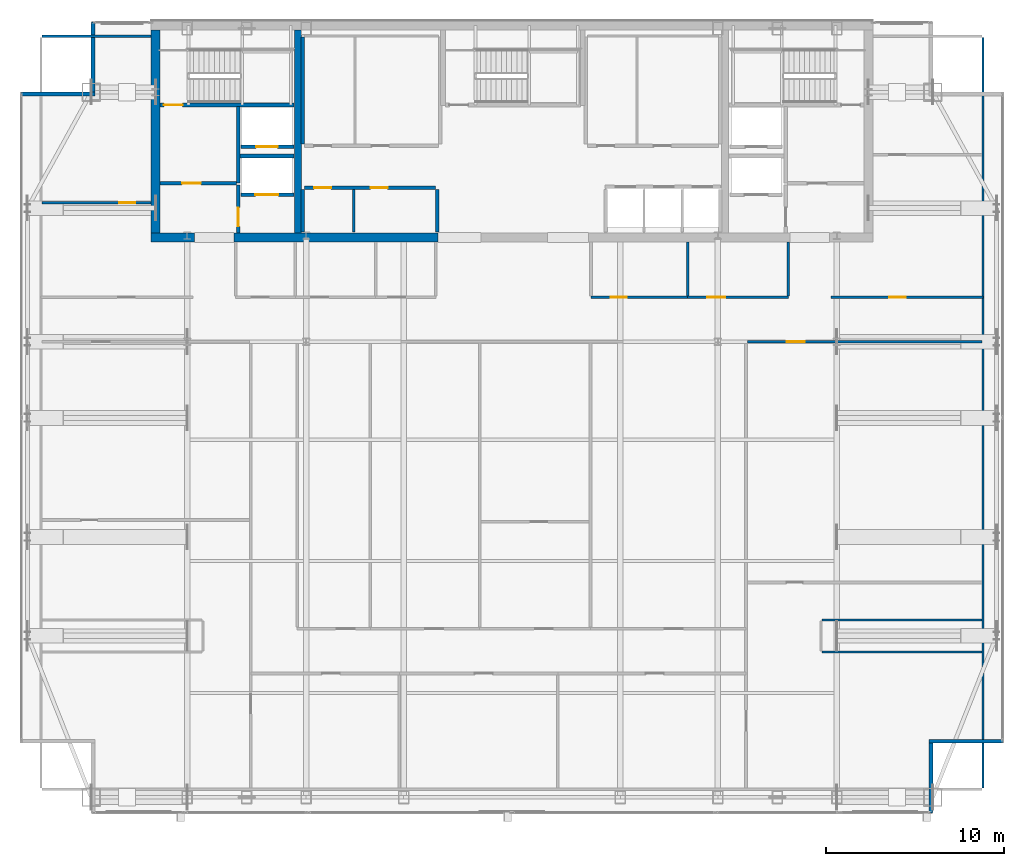
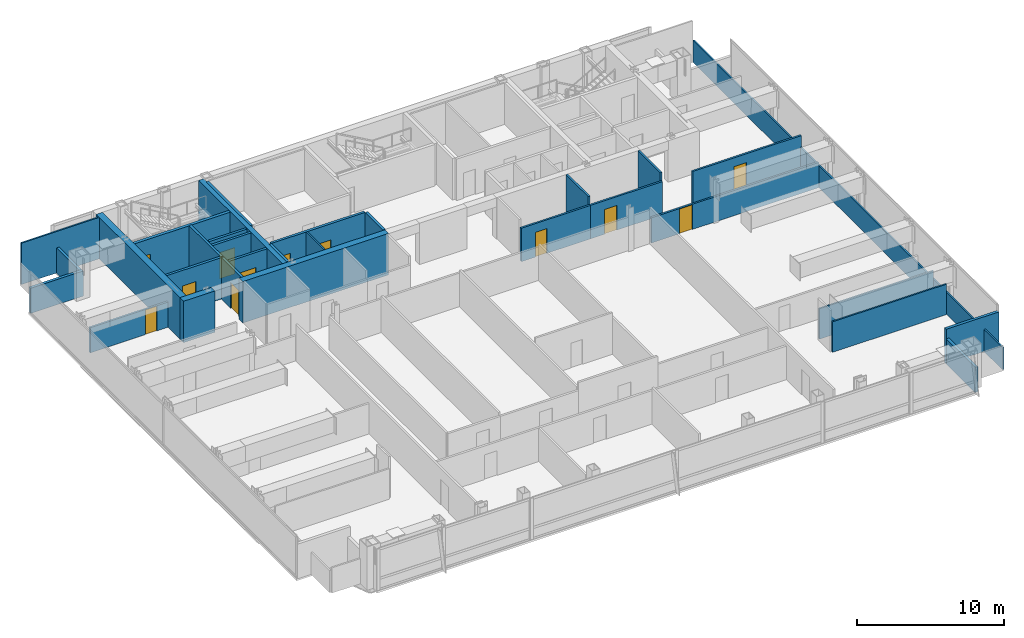
# One storey, part 22 of 26: 31 walls, 12 doors, 12 openings.
"""IFC4 building model written with IfcOpenShell, lengths in metres."""

from ifc_helpers import new_model, si_unit, direction, frame, frame_2d, origin, place, context, subcontext, project, spatial, rectangle, extrude, material, layer, layer_set, type_object, element, fill, save


model = new_model("IFC4")

# Units and contexts
model_context = context("Model", 3, precision=1e-05, world=origin(), true_north=direction((0.0, 1.0)))
body_context = subcontext(model_context, "Body", "Model", "MODEL_VIEW")
ifc_project = project(units=[si_unit("LENGTHUNIT", "METRE"), si_unit("AREAUNIT", "SQUARE_METRE"), si_unit("VOLUMEUNIT", "CUBIC_METRE"), si_unit("PLANEANGLEUNIT", "RADIAN"), si_unit("MASSUNIT", "GRAM", prefix="KILO")], contexts=[model_context])

# Site, building, storey
site_placement = place(None, origin())
site = spatial("IfcSite", under=ifc_project, at=site_placement, CompositionType="ELEMENT")
building_placement = place(site_placement, origin())
building = spatial("IfcBuilding", under=site, at=building_placement, Name="Khoronbel Lancet Exchange", CompositionType="ELEMENT")
storey_placement = place(building_placement, frame((0.0, 0.0, 287.800048828125)))
storey = spatial("IfcBuildingStorey", under=building, at=storey_placement, Name="L74", CompositionType="ELEMENT", Elevation=287.800048828125)

# Walls
ifc_material_1 = material(Name="Concrete C60/75", Category="concrete")
ifc_layer_1 = layer(ifc_material_1, 0.5, Name="Concrete C60/75")
ifc_layer_set_1 = layer_set([ifc_layer_1], Name="Concrete C60/75")
wall_type_1 = type_object("IfcWallType", Name="WL-CW4", PredefinedType="SHEAR", material=ifc_layer_set_1)
wall_1_placement = place(storey_placement, frame((16.449951171875, 41.800048828125, 0.0), z_axis=(0.0, 0.0, 1.0), x_axis=(0.0, 1.0, 0.0)))
element("IfcWall", 1, at=wall_1_placement, inside=storey, type_object=wall_type_1, Name="Level L74 rear core west shear wall", PredefinedType="SHEAR", context=body_context, shape_type="SweptSolid", body=[
    extrude(rectangle(XDim=11.39990234375, YDim=0.5, at=frame_2d((5.699951171875, 0.0))), origin(), (0.0, 0.0, 1.0), 3.43994140625),
])
wall_2_placement = place(storey_placement, frame((18.64990234375, 41.550048828125, 0.0), z_axis=(0.0, 0.0, 1.0), x_axis=(-1.0, 0.0, 0.0)))
element("IfcWall", 2, at=wall_2_placement, inside=storey, type_object=wall_type_1, Name="Level L74 rear core south shear wall pier P1", PredefinedType="SHEAR", context=body_context, shape_type="SweptSolid", body=[
    extrude(rectangle(XDim=2.449951171875, YDim=0.5, at=frame_2d((1.22509765625, 0.0))), origin(), (0.0, 0.0, 1.0), 3.43994140625),
])
wall_3_placement = place(storey_placement, frame((32.300048828125, 41.550048828125, 0.0), z_axis=(0.0, 0.0, 1.0), x_axis=(-1.0, 0.0, 0.0)))
element("IfcWall", 3, at=wall_3_placement, inside=storey, type_object=wall_type_1, Name="Level L74 rear core south shear wall pier P2", PredefinedType="SHEAR", context=body_context, shape_type="SweptSolid", body=[
    extrude(rectangle(XDim=11.449951171875, YDim=0.5, at=frame_2d((5.72509765625, 0.0))), origin(), (0.0, 0.0, 1.0), 3.43994140625),
])
ifc_material_2 = material(Name="Precast concrete C40/50", Category="concrete")
ifc_layer_2 = layer(ifc_material_2, 0.25, Name="Precast concrete C40/50")
ifc_layer_set_2 = layer_set([ifc_layer_2], Name="Precast concrete C40/50")
wall_type_2 = type_object("IfcWallType", Name="WL-EXT250", PredefinedType="SOLIDWALL", material=ifc_layer_set_2)
wall_4_placement = place(storey_placement, frame((8.919921875, 49.610107421875, 0.0), z_axis=(0.0, 0.0, 1.0), x_axis=(1.0, 0.0, 0.0)))
element("IfcWall", 4, at=wall_4_placement, inside=storey, type_object=wall_type_2, Name="Level L74 notched-corner limestone pier 04", PredefinedType="SOLIDWALL", context=body_context, shape_type="SweptSolid", body=[
    extrude(rectangle(XDim=4.130126953125, YDim=0.219970703125, at=frame_2d((2.06494140625, 0.0))), origin(), (0.0, 0.0, 1.0), 2.08984375),
])
wall_5_placement = place(storey_placement, frame((12.93994140625, 49.719970703125, 0.0), z_axis=(0.0, 0.0, 1.0), x_axis=(0.0, 1.0, 0.0)))
element("IfcWall", 5, at=wall_5_placement, inside=storey, type_object=wall_type_2, Name="Level L74 notched-corner limestone pier 05", PredefinedType="SOLIDWALL", context=body_context, shape_type="SweptSolid", body=[
    extrude(rectangle(XDim=3.909912109375, YDim=0.219970703125, at=frame_2d((1.955078125, 0.0))), origin(), (0.0, 0.0, 1.0), 2.08984375),
])
wall_6_placement = place(storey_placement, frame((63.97998046875, 13.2900390625, 0.0), z_axis=(0.0, 0.0, 1.0), x_axis=(-1.0, 0.0, 0.0)))
element("IfcWall", 6, at=wall_6_placement, inside=storey, type_object=wall_type_2, Name="Level L74 notched-corner limestone pier 10", PredefinedType="SOLIDWALL", context=body_context, shape_type="SweptSolid", body=[
    extrude(rectangle(XDim=4.1298828125, YDim=0.219970703125, at=frame_2d((2.06494140625, 0.0))), origin(), (0.0, 0.0, 1.0), 2.8798828125),
])
wall_7_placement = place(storey_placement, frame((59.9599609375, 13.179931640625, 0.0), z_axis=(0.0, 0.0, 1.0), x_axis=(0.0, -1.0, 0.0)))
element("IfcWall", 7, at=wall_7_placement, inside=storey, type_object=wall_type_2, Name="Level L74 notched-corner limestone pier 11", PredefinedType="SOLIDWALL", context=body_context, shape_type="SweptSolid", body=[
    extrude(rectangle(XDim=3.909912109375, YDim=0.219970703125, at=frame_2d((1.955078125, 0.0))), origin(), (0.0, 0.0, 1.0), 2.08984375),
])
ifc_material_3 = material(Name="Acoustic Metal-Stud & Mineral-Wool Gypsum Partition 120 mm", Category="gypsum")
ifc_layer_3 = layer(ifc_material_3, 0.1201171875, Name="Acoustic Metal-Stud & Mineral-Wool Gypsum Partition 120 mm")
ifc_layer_set_3 = layer_set([ifc_layer_3], Name="Acoustic Metal-Stud & Mineral-Wool Gypsum Partition 120 mm")
wall_type_3 = type_object("IfcWallType", Name="WL-PRT120", PredefinedType="PARTITIONING", material=ifc_layer_set_3)
for number, where, z_axis, x_axis, name in (
    (8, (46.300048828125, 38.280029296875, 0.0), (0.0, 0.0, 1.0), (0.0, 1.0, 0.0), "Level L74 interior partition PW-NP-M"),
    (9, (51.949951171875, 38.280029296875, 0.0), (0.0, 0.0, 1.0), (0.0, 1.0, 0.0), "Level L74 interior partition PW-NP-1"),
):
    element("IfcWall", number, at=place(storey_placement, frame(where, z_axis=z_axis, x_axis=x_axis)), inside=storey, type_object=wall_type_3, Name=name, PredefinedType="PARTITIONING", context=body_context, shape_type="SweptSolid", body=[
        extrude(rectangle(XDim=3.02001953125, YDim=0.14990234375, at=frame_2d((1.510009765625, 0.0))), origin(), (0.0, 0.0, 1.0), 3.43994140625),
    ])

# Wall, opening, door
wall_8_placement = place(storey_placement, frame((10.094970703125, 43.5, 0.0), z_axis=(0.0, 0.0, 1.0), x_axis=(1.0, 0.0, 0.0)))
wall_8 = element("IfcWall", 10, at=wall_8_placement, inside=storey, type_object=wall_type_3, Name="Level L74 interior partition PW-NW-H", PredefinedType="PARTITIONING", context=body_context, shape_type="SweptSolid", body=[
    extrude(rectangle(XDim=6.10498046875, YDim=0.14990234375, at=frame_2d((3.052490234375, 0.0))), origin(), (0.0, 0.0, 1.0), 2.08984375),
])
opening_1_placement = place(wall_8_placement, frame((4.320068359375, 0.0, 0.0)))
opening_1 = element("IfcOpeningElement", 11, at=opening_1_placement, cuts=wall_8, Name="Opening D5", PredefinedType="OPENING", context=body_context, shape_type="SweptSolid", body=[
    extrude(rectangle(XDim=0.89990234375, YDim=2.050048828125, at=frame_2d((0.449951171875, 1.02490234375))), frame((0.0, 0.0849609375, 0.0), z_axis=(0.0, -1.0, 0.0), x_axis=(1.0, 0.0, 0.0)), (0.0, 0.0, 1.0), 0.169921875),
])
ifc_material_4 = material(Name="Acoustic Timber Pantry & Support Door", Category="wood")
door_type_1 = type_object("IfcDoorType", Name="DR-D5", OperationType="NOTDEFINED", PredefinedType="DOOR", material=ifc_material_4)
door_1_placement = place(opening_1_placement, origin())
door_1 = element("IfcDoor", 12, at=door_1_placement, inside=storey, type_object=door_type_1, Name="NW north room door L74-1", OperationType="SINGLE_SWING_LEFT", OverallHeight=2.050048828125, OverallWidth=0.89990234375, PredefinedType="DOOR", context=body_context, shape_type="SweptSolid", body=[
    extrude(rectangle(XDim=0.89990234375, YDim=2.050048828125, at=frame_2d((0.449951171875, 1.02490234375))), frame((0.0, 0.02490234375, 0.0), z_axis=(0.0, -1.0, 0.0), x_axis=(1.0, 0.0, 0.0)), (0.0, 0.0, 1.0), 0.050048828125),
])
fill(opening_1, door_1)

# Walls
wall_9_placement = place(storey_placement, frame((62.8701171875, 10.6650390625, 0.0), z_axis=(0.0, 0.0, 1.0), x_axis=(0.0, 1.0, 0.0)))
element("IfcWall", 13, at=wall_9_placement, inside=storey, type_object=wall_type_3, Name="Level L74 interior partition PW-LIN-E", PredefinedType="PARTITIONING", context=body_context, shape_type="SweptSolid", body=[
    extrude(rectangle(XDim=42.10986328125, YDim=0.1201171875, at=frame_2d((21.054931640625, 0.0))), origin(), (0.0, 0.0, 1.0), 1.829833984375),
])
wall_10_placement = place(storey_placement, frame((10.094970703125, 52.840087890625, 0.0), z_axis=(0.0, 0.0, 1.0), x_axis=(1.0, 0.0, 0.0)))
element("IfcWall", 14, at=wall_10_placement, inside=storey, type_object=wall_type_3, Name="Level L74 interior partition PW-LIN-NW", PredefinedType="PARTITIONING", context=body_context, shape_type="SweptSolid", body=[
    extrude(rectangle(XDim=6.10498046875, YDim=0.1201171875, at=frame_2d((3.052490234375, 0.0))), origin(), (0.0, 0.0, 1.0), 3.43994140625),
])
for number, where, z_axis, x_axis, name in (
    (15, (53.844970703125, 18.300048828125, 0.0), (0.0, 0.0, 1.0), (1.0, 0.0, 0.0), "Level L74 interior partition PW-BLK-ES"),
    (16, (53.844970703125, 20.10009765625, 0.0), (0.0, 0.0, 1.0), (1.0, 0.0, 0.0), "Level L74 interior partition PW-BLK-EN"),
):
    element("IfcWall", number, at=place(storey_placement, frame(where, z_axis=z_axis, x_axis=x_axis)), inside=storey, type_object=wall_type_3, Name=name, PredefinedType="PARTITIONING", context=body_context, shape_type="SweptSolid", body=[
        extrude(rectangle(XDim=8.9599609375, YDim=0.1201171875, at=frame_2d((4.47998046875, 0.0))), origin(), (0.0, 0.0, 1.0), 2.530029296875),
    ])
ifc_material_5 = material(Name="Fire-Rated Metal-Stud & Mineral-Wool Gypsum Partition 120 mm", Category="gypsum")
ifc_layer_4 = layer(ifc_material_5, 0.1201171875, Name="Fire-Rated Metal-Stud & Mineral-Wool Gypsum Partition 120 mm")
ifc_layer_set_4 = layer_set([ifc_layer_4], Name="Fire-Rated Metal-Stud & Mineral-Wool Gypsum Partition 120 mm")
wall_type_4 = type_object("IfcWallType", Name="WL-PRT120F", PredefinedType="PARTITIONING", material=ifc_layer_set_4)
wall_11_placement = place(storey_placement, frame((27.569091796875, 41.85009765625, 0.0), z_axis=(0.0, 0.0, 1.0), x_axis=(0.0, 1.0, 0.0)))
element("IfcWall", 17, at=wall_11_placement, inside=storey, type_object=wall_type_4, Name="Level L74 interior partition CW-PM-RS1", PredefinedType="PARTITIONING", context=body_context, shape_type="SweptSolid", body=[
    extrude(rectangle(XDim=2.39501953125, YDim=0.1201171875, at=frame_2d((1.197509765625, 0.0))), origin(), (0.0, 0.0, 1.0), 3.43994140625),
])

# Wall, opening, door
ifc_material_6 = material(Name="Fire-Rated Twin-Stud Acoustic Gypsum Partition 150 mm", Category="gypsum")
ifc_layer_5 = layer(ifc_material_6, 0.14990234375, Name="Fire-Rated Twin-Stud Acoustic Gypsum Partition 150 mm")
ifc_layer_set_5 = layer_set([ifc_layer_5], Name="Fire-Rated Twin-Stud Acoustic Gypsum Partition 150 mm")
wall_type_5 = type_object("IfcWallType", Name="WL-PRT150C", PredefinedType="PARTITIONING", material=ifc_layer_set_5)
wall_12_placement = place(storey_placement, frame((40.8798828125, 38.199951171875, 0.0), z_axis=(0.0, 0.0, 1.0), x_axis=(1.0, 0.0, 0.0)))
wall_12 = element("IfcWall", 18, at=wall_12_placement, inside=storey, type_object=wall_type_5, Name="Level L74 interior partition PW-NP-S1", PredefinedType="PARTITIONING", context=body_context, shape_type="SweptSolid", body=[
    extrude(rectangle(XDim=5.420166015625, YDim=0.14990234375, at=frame_2d((2.7099609375, 0.0))), origin(), (0.0, 0.0, 1.0), 2.780029296875),
])
opening_2_placement = place(wall_12_placement, frame((1.10009765625, 0.0, 0.0)))
opening_2 = element("IfcOpeningElement", 19, at=opening_2_placement, cuts=wall_12, Name="Opening D5", PredefinedType="OPENING", context=body_context, shape_type="SweptSolid", body=[
    extrude(rectangle(XDim=0.89990234375, YDim=2.050048828125, at=frame_2d((0.449951171875, 1.02490234375))), frame((0.0, 0.0849609375, 0.0), z_axis=(0.0, -1.0, 0.0), x_axis=(1.0, 0.0, 0.0)), (0.0, 0.0, 1.0), 0.169921875),
])
door_2_placement = place(opening_2_placement, origin())
door_2 = element("IfcDoor", 20, at=door_2_placement, inside=storey, type_object=door_type_1, Name="Floor refreshment pantry door L74-1", OperationType="SINGLE_SWING_LEFT", OverallHeight=2.050048828125, OverallWidth=0.89990234375, PredefinedType="DOOR", context=body_context, shape_type="SweptSolid", body=[
    extrude(rectangle(XDim=0.89990234375, YDim=2.050048828125, at=frame_2d((0.449951171875, 1.02490234375))), frame((0.0, 0.02490234375, 0.0), z_axis=(0.0, -1.0, 0.0), x_axis=(1.0, 0.0, 0.0)), (0.0, 0.0, 1.0), 0.050048828125),
])
fill(opening_2, door_2)

wall_13_placement = place(storey_placement, frame((46.300048828125, 38.199951171875, 0.0), z_axis=(0.0, 0.0, 1.0), x_axis=(1.0, 0.0, 0.0)))
wall_13 = element("IfcWall", 21, at=wall_13_placement, inside=storey, type_object=wall_type_5, Name="Level L74 interior partition PW-NP-S2", PredefinedType="PARTITIONING", context=body_context, shape_type="SweptSolid", body=[
    extrude(rectangle(XDim=5.64990234375, YDim=0.14990234375, at=frame_2d((2.824951171875, 0.0))), origin(), (0.0, 0.0, 1.0), 2.780029296875),
])
opening_3_placement = place(wall_13_placement, frame((1.10009765625, 0.0, 0.0)))
opening_3 = element("IfcOpeningElement", 22, at=opening_3_placement, cuts=wall_13, Name="Opening D2", PredefinedType="OPENING", context=body_context, shape_type="SweptSolid", body=[
    extrude(rectangle(XDim=1.0, YDim=2.050048828125, at=frame_2d((0.5, 1.02490234375))), frame((0.0, 0.0849609375, 0.0), z_axis=(0.0, -1.0, 0.0), x_axis=(1.0, 0.0, 0.0)), (0.0, 0.0, 1.0), 0.169921875),
])
ifc_material_7 = material(Name="Acoustic Veneered Timber & Bronze Frame Door", Category="wood")
door_type_2 = type_object("IfcDoorType", Name="DR-D2", OperationType="NOTDEFINED", PredefinedType="DOOR", material=ifc_material_7)
door_3_placement = place(opening_3_placement, origin())
door_3 = element("IfcDoor", 23, at=door_3_placement, inside=storey, type_object=door_type_2, Name="Floor store door L74-1", OperationType="SINGLE_SWING_RIGHT", OverallHeight=2.050048828125, OverallWidth=1.0, PredefinedType="DOOR", context=body_context, shape_type="SweptSolid", body=[
    extrude(rectangle(XDim=1.0, YDim=2.050048828125, at=frame_2d((0.5, 1.02490234375))), frame((0.0, 0.02490234375, 0.0), z_axis=(0.0, -1.0, 0.0), x_axis=(1.0, 0.0, 0.0)), (0.0, 0.0, 1.0), 0.050048828125),
])
fill(opening_3, door_3)

wall_14_placement = place(storey_placement, frame((54.35009765625, 38.199951171875, 0.0), z_axis=(0.0, 0.0, 1.0), x_axis=(1.0, 0.0, 0.0)))
wall_14 = element("IfcWall", 24, at=wall_14_placement, inside=storey, type_object=wall_type_5, Name="Level L74 interior partition PW-NE-S", PredefinedType="PARTITIONING", context=body_context, shape_type="SweptSolid", body=[
    extrude(rectangle(XDim=8.52001953125, YDim=0.14990234375, at=frame_2d((4.260009765625, 0.0))), origin(), (0.0, 0.0, 1.0), 2.780029296875),
])
opening_4_placement = place(wall_14_placement, frame((3.25, 0.0, 0.0)))
opening_4 = element("IfcOpeningElement", 25, at=opening_4_placement, cuts=wall_14, Name="Opening D1", PredefinedType="OPENING", context=body_context, shape_type="SweptSolid", body=[
    extrude(rectangle(XDim=0.949951171875, YDim=2.050048828125, at=frame_2d((0.47509765625, 1.02490234375))), frame((0.0, 0.0849609375, 0.0), z_axis=(0.0, -1.0, 0.0), x_axis=(1.0, 0.0, 0.0)), (0.0, 0.0, 1.0), 0.169921875),
])
door_type_3 = type_object("IfcDoorType", Name="DR-D1", OperationType="NOTDEFINED", PredefinedType="DOOR", material=ifc_material_7)
door_4_placement = place(opening_4_placement, origin())
door_4 = element("IfcDoor", 26, at=door_4_placement, inside=storey, type_object=door_type_3, Name="NE corner room door L74-1", OperationType="SINGLE_SWING_RIGHT", OverallHeight=2.050048828125, OverallWidth=0.949951171875, PredefinedType="DOOR", context=body_context, shape_type="SweptSolid", body=[
    extrude(rectangle(XDim=0.949951171875, YDim=2.050048828125, at=frame_2d((0.47509765625, 1.02490234375))), frame((0.0, 0.02490234375, 0.0), z_axis=(0.0, -1.0, 0.0), x_axis=(1.0, 0.0, 0.0)), (0.0, 0.0, 1.0), 0.050048828125),
])
fill(opening_4, door_4)

wall_15_placement = place(storey_placement, frame((49.659912109375, 35.699951171875, 0.0), z_axis=(0.0, 0.0, 1.0), x_axis=(1.0, 0.0, 0.0)))
wall_15 = element("IfcWall", 27, at=wall_15_placement, inside=storey, type_object=wall_type_5, Name="Level L74 interior partition PW-Z4-EN2", PredefinedType="PARTITIONING", context=body_context, shape_type="SweptSolid", body=[
    extrude(rectangle(XDim=13.14501953125, YDim=0.14990234375, at=frame_2d((6.572509765625, 0.0))), origin(), (0.0, 0.0, 1.0), 2.08984375),
])
opening_5_placement = place(wall_15_placement, frame((2.199951171875, 0.0, 0.0)))
opening_5 = element("IfcOpeningElement", 28, at=opening_5_placement, cuts=wall_15, Name="Opening D2", PredefinedType="OPENING", context=body_context, shape_type="SweptSolid", body=[
    extrude(rectangle(XDim=1.0, YDim=2.050048828125, at=frame_2d((0.5, 1.02490234375))), frame((0.0, 0.0849609375, 0.0), z_axis=(0.0, -1.0, 0.0), x_axis=(1.0, 0.0, 0.0)), (0.0, 0.0, 1.0), 0.169921875),
])
door_5_placement = place(opening_5_placement, origin())
door_5 = element("IfcDoor", 29, at=door_5_placement, inside=storey, type_object=door_type_2, Name="East lens north door L74-1", OperationType="SINGLE_SWING_LEFT", OverallHeight=2.050048828125, OverallWidth=1.0, PredefinedType="DOOR", context=body_context, shape_type="SweptSolid", body=[
    extrude(rectangle(XDim=1.0, YDim=2.050048828125, at=frame_2d((0.5, 1.02490234375))), frame((0.0, 0.02490234375, 0.0), z_axis=(0.0, -1.0, 0.0), x_axis=(1.0, 0.0, 0.0)), (0.0, 0.0, 1.0), 0.050048828125),
])
fill(opening_5, door_5)

ifc_material_8 = material(Name="Autoclaved Aerated Concrete Blockwork 200 mm", Category="masonry")
ifc_layer_6 = layer(ifc_material_8, 0.199951171875, Name="Autoclaved Aerated Concrete Blockwork 200 mm")
ifc_layer_set_6 = layer_set([ifc_layer_6], Name="Autoclaved Aerated Concrete Blockwork 200 mm")
wall_type_6 = type_object("IfcWallType", Name="WL-PRT200", PredefinedType="PARTITIONING", material=ifc_layer_set_6)
wall_16_placement = place(storey_placement, frame((24.2099609375, 43.949951171875, 0.0), z_axis=(0.0, 0.0, 1.0), x_axis=(-1.0, 0.0, 0.0)))
wall_16 = element("IfcWall", 30, at=wall_16_placement, inside=storey, type_object=wall_type_6, Name="Level L74 elevator hoistway landing front wall SVLW", PredefinedType="PARTITIONING", context=body_context, shape_type="SweptSolid", body=[
    extrude(rectangle(XDim=2.969970703125, YDim=0.199951171875, at=frame_2d((1.48486328125, 0.0))), origin(), (0.0, 0.0, 1.0), 3.43994140625),
])
opening_6_placement = place(wall_16_placement, frame((0.860107421875, 0.0, 0.0)))
opening_6 = element("IfcOpeningElement", 31, at=opening_6_placement, cuts=wall_16, Name="Opening LD-SVL1", PredefinedType="OPENING", context=body_context, shape_type="SweptSolid", body=[
    extrude(rectangle(XDim=1.300048828125, YDim=2.179931640625, at=frame_2d((0.64990234375, 1.08984375))), frame((0.0, 0.10986328125, 0.0), z_axis=(0.0, -1.0, 0.0), x_axis=(1.0, 0.0, 0.0)), (0.0, 0.0, 1.0), 0.219970703125),
])
ifc_material_9 = material(Name="Heavy-Duty Bi-Parting Goods Lift Landing Door", Category="steel")
door_type_4 = type_object("IfcDoorType", Name="DR-LD-SVL", OperationType="NOTDEFINED", PredefinedType="DOOR", material=ifc_material_9)
door_6_placement = place(opening_6_placement, origin())
door_6 = element("IfcDoor", 32, at=door_6_placement, inside=storey, type_object=door_type_4, Name="Elevator landing sliding door LD-SVL1 L74", OperationType="SLIDING_TO_LEFT", OverallHeight=2.179931640625, OverallWidth=1.300048828125, PredefinedType="DOOR", context=body_context, shape_type="SweptSolid", body=[
    extrude(rectangle(XDim=1.300048828125, YDim=2.179931640625, at=frame_2d((0.64990234375, 1.08984375))), frame((0.0, 0.02490234375, 0.0), z_axis=(0.0, -1.0, 0.0), x_axis=(1.0, 0.0, 0.0)), (0.0, 0.0, 1.0), 0.050048828125),
])
fill(opening_6, door_6)

wall_17_placement = place(storey_placement, frame((24.2099609375, 46.64990234375, 0.0), z_axis=(0.0, 0.0, 1.0), x_axis=(-1.0, 0.0, 0.0)))
wall_17 = element("IfcWall", 33, at=wall_17_placement, inside=storey, type_object=wall_type_6, Name="Level L74 elevator hoistway landing front wall FFLW", PredefinedType="PARTITIONING", context=body_context, shape_type="SweptSolid", body=[
    extrude(rectangle(XDim=2.969970703125, YDim=0.199951171875, at=frame_2d((1.48486328125, 0.0))), origin(), (0.0, 0.0, 1.0), 3.43994140625),
])
opening_7_placement = place(wall_17_placement, frame((0.909912109375, 0.0, 0.0)))
opening_7 = element("IfcOpeningElement", 34, at=opening_7_placement, cuts=wall_17, Name="Opening LD-FFL1", PredefinedType="OPENING", context=body_context, shape_type="SweptSolid", body=[
    extrude(rectangle(XDim=1.199951171875, YDim=2.179931640625, at=frame_2d((0.60009765625, 1.08984375))), frame((0.0, 0.10986328125, 0.0), z_axis=(0.0, -1.0, 0.0), x_axis=(1.0, 0.0, 0.0)), (0.0, 0.0, 1.0), 0.219970703125),
])
ifc_material_10 = material(Name="Fire-Rated Stainless Bi-Parting Firefighting Lift Door", Category="steel")
door_type_5 = type_object("IfcDoorType", Name="DR-LD-FFL", OperationType="NOTDEFINED", PredefinedType="DOOR", material=ifc_material_10)
door_7_placement = place(opening_7_placement, origin())
door_7 = element("IfcDoor", 35, at=door_7_placement, inside=storey, type_object=door_type_5, Name="Elevator landing sliding door LD-FFL1 L74", OperationType="SLIDING_TO_LEFT", OverallHeight=2.179931640625, OverallWidth=1.199951171875, PredefinedType="DOOR", context=body_context, shape_type="SweptSolid", body=[
    extrude(rectangle(XDim=1.199951171875, YDim=2.179931640625, at=frame_2d((0.60009765625, 1.08984375))), frame((0.0, 0.02490234375, 0.0), z_axis=(0.0, -1.0, 0.0), x_axis=(1.0, 0.0, 0.0)), (0.0, 0.0, 1.0), 0.050048828125),
])
fill(opening_7, door_7)

# Wall
wall_18_placement = place(storey_placement, frame((21.10009765625, 44.60009765625, 0.0), z_axis=(0.0, 0.0, 1.0), x_axis=(0.0, 1.0, 0.0)))
element("IfcWall", 36, at=wall_18_placement, inside=storey, type_object=wall_type_6, Name="Level L74 interior partition CW-FFLW-E", PredefinedType="PARTITIONING", context=body_context, shape_type="SweptSolid", body=[
    extrude(rectangle(XDim=4.2998046875, YDim=0.199951171875, at=frame_2d((2.14990234375, 0.0))), origin(), (0.0, 0.0, 1.0), 3.43994140625),
])

# Wall, opening, door
wall_19_placement = place(storey_placement, frame((16.699951171875, 44.60009765625, 0.0), z_axis=(0.0, 0.0, 1.0), x_axis=(1.0, 0.0, 0.0)))
wall_19 = element("IfcWall", 37, at=wall_19_placement, inside=storey, type_object=wall_type_6, Name="Level L74 interior partition CW-FFLW-S", PredefinedType="PARTITIONING", context=body_context, shape_type="SweptSolid", body=[
    extrude(rectangle(XDim=4.300048828125, YDim=0.199951171875, at=frame_2d((2.14990234375, 0.0))), origin(), (0.0, 0.0, 1.0), 3.43994140625),
])
opening_8_placement = place(wall_19_placement, frame((1.25, 0.0, 0.0)))
opening_8 = element("IfcOpeningElement", 38, at=opening_8_placement, cuts=wall_19, Name="Opening FD1", PredefinedType="OPENING", context=body_context, shape_type="SweptSolid", body=[
    extrude(rectangle(XDim=1.050048828125, YDim=2.14990234375, at=frame_2d((0.52490234375, 1.074951171875))), frame((0.0, 0.10986328125, 0.0), z_axis=(0.0, -1.0, 0.0), x_axis=(1.0, 0.0, 0.0)), (0.0, 0.0, 1.0), 0.219970703125),
])
ifc_material_11 = material(Name="Fire-Rated Painted Steel Door Assembly", Category="steel")
door_type_6 = type_object("IfcDoorType", Name="DR-FD1", OperationType="NOTDEFINED", PredefinedType="DOOR", material=ifc_material_11)
door_8_placement = place(opening_8_placement, origin())
door_8 = element("IfcDoor", 39, at=door_8_placement, inside=storey, type_object=door_type_6, Name="West firefighting lobby FD90S door L74-1", OperationType="SINGLE_SWING_RIGHT", OverallHeight=2.14990234375, OverallWidth=1.050048828125, PredefinedType="DOOR", context=body_context, shape_type="SweptSolid", body=[
    extrude(rectangle(XDim=1.050048828125, YDim=2.14990234375, at=frame_2d((0.52490234375, 1.074951171875))), frame((0.0, 0.02490234375, 0.0), z_axis=(0.0, -1.0, 0.0), x_axis=(1.0, 0.0, 0.0)), (0.0, 0.0, 1.0), 0.050048828125),
])
fill(opening_8, door_8)

# Wall
wall_20_placement = place(storey_placement, frame((21.199951171875, 46.1201171875, 0.0), z_axis=(0.0, 0.0, 1.0), x_axis=(1.0, 0.0, 0.0)))
element("IfcWall", 40, at=wall_20_placement, inside=storey, type_object=wall_type_6, Name="Level L74 interior partition CW-FFL1-S", PredefinedType="PARTITIONING", context=body_context, shape_type="SweptSolid", body=[
    extrude(rectangle(XDim=3.02001953125, YDim=0.199951171875, at=frame_2d((1.510009765625, 0.0))), origin(), (0.0, 0.0, 1.0), 3.43994140625),
])

# Wall, opening, door
wall_21_placement = place(storey_placement, frame((21.10009765625, 41.800048828125, 0.0), z_axis=(0.0, 0.0, 1.0), x_axis=(0.0, 1.0, 0.0)))
wall_21 = element("IfcWall", 41, at=wall_21_placement, inside=storey, type_object=wall_type_6, Name="Level L74 interior partition CW-SVLW-W", PredefinedType="PARTITIONING", context=body_context, shape_type="SweptSolid", body=[
    extrude(rectangle(XDim=2.695068359375, YDim=0.199951171875, at=frame_2d((1.34765625, 0.0))), origin(), (0.0, 0.0, 1.0), 3.43994140625),
])
opening_9_placement = place(wall_21_placement, frame((0.3798828125, 0.0, 0.0)))
opening_9 = element("IfcOpeningElement", 42, at=opening_9_placement, cuts=wall_21, Name="Opening FD1", PredefinedType="OPENING", context=body_context, shape_type="SweptSolid", body=[
    extrude(rectangle(XDim=1.050048828125, YDim=2.14990234375, at=frame_2d((0.52490234375, 1.074951171875))), frame((0.0, 0.10986328125, 0.0), z_axis=(0.0, -1.0, 0.0), x_axis=(1.0, 0.0, 0.0)), (0.0, 0.0, 1.0), 0.219970703125),
])
door_9_placement = place(opening_9_placement, origin())
door_9 = element("IfcDoor", 43, at=door_9_placement, inside=storey, type_object=door_type_6, Name="West service lift lobby door L74-1", OperationType="SINGLE_SWING_LEFT", OverallHeight=2.14990234375, OverallWidth=1.050048828125, PredefinedType="DOOR", context=body_context, shape_type="SweptSolid", body=[
    extrude(rectangle(XDim=1.050048828125, YDim=2.14990234375, at=frame_2d((0.52490234375, 1.074951171875))), frame((0.0, 0.02490234375, 0.0), z_axis=(0.0, -1.0, 0.0), x_axis=(1.0, 0.0, 0.0)), (0.0, 0.0, 1.0), 0.050048828125),
])
fill(opening_9, door_9)

# Walls
wall_22_placement = place(storey_placement, frame((24.699951171875, 46.804931640625, 0.0), z_axis=(0.0, 0.0, 1.0), x_axis=(0.0, 1.0, 0.0)))
element("IfcWall", 44, at=wall_22_placement, inside=storey, type_object=wall_type_6, Name="Level L74 interior partition CW-PL-RW", PredefinedType="PARTITIONING", context=body_context, shape_type="SweptSolid", body=[
    extrude(rectangle(XDim=5.989990234375, YDim=0.199951171875, at=frame_2d((2.9951171875, 0.0))), origin(), (0.0, 0.0, 1.0), 3.43994140625),
])
for number, where, z_axis, x_axis, name in (
    (45, (24.699951171875, 41.85009765625, 0.0), (0.0, 0.0, 1.0), (0.0, 1.0, 0.0), "Level L74 interior partition CW-PM-RW"),
    (46, (32.25, 41.85009765625, 0.0), (0.0, 0.0, 1.0), (0.0, 1.0, 0.0), "Level L74 interior partition CW-PM-RE"),
):
    element("IfcWall", number, at=place(storey_placement, frame(where, z_axis=z_axis, x_axis=x_axis)), inside=storey, type_object=wall_type_6, Name=name, PredefinedType="PARTITIONING", context=body_context, shape_type="SweptSolid", body=[
        extrude(rectangle(XDim=2.39501953125, YDim=0.199951171875, at=frame_2d((1.197509765625, 0.0))), origin(), (0.0, 0.0, 1.0), 3.43994140625),
    ])

# Wall, openings, doors
wall_23_placement = place(storey_placement, frame((24.804931640625, 44.35009765625, 0.0), z_axis=(0.0, 0.0, 1.0), x_axis=(1.0, 0.0, 0.0)))
wall_23 = element("IfcWall", 47, at=wall_23_placement, inside=storey, type_object=wall_type_6, Name="Level L74 interior partition CW-PM-RF", PredefinedType="PARTITIONING", context=body_context, shape_type="SweptSolid", body=[
    extrude(rectangle(XDim=7.340087890625, YDim=0.199951171875, at=frame_2d((3.669921875, 0.0))), origin(), (0.0, 0.0, 1.0), 3.43994140625),
])
opening_10_placement = place(wall_23_placement, frame((0.550048828125, 0.0, 0.0)))
opening_10 = element("IfcOpeningElement", 48, at=opening_10_placement, cuts=wall_23, Name="Opening FD3", PredefinedType="OPENING", context=body_context, shape_type="SweptSolid", body=[
    extrude(rectangle(XDim=0.949951171875, YDim=2.10009765625, at=frame_2d((0.47509765625, 1.050048828125))), frame((0.0, 0.10986328125, 0.0), z_axis=(0.0, -1.0, 0.0), x_axis=(1.0, 0.0, 0.0)), (0.0, 0.0, 1.0), 0.219970703125),
])
opening_11_placement = place(wall_23_placement, frame((3.718994140625, 0.0, 0.0)))
opening_11 = element("IfcOpeningElement", 49, at=opening_11_placement, cuts=wall_23, Name="Opening FD3", PredefinedType="OPENING", context=body_context, shape_type="SweptSolid", body=[
    extrude(rectangle(XDim=0.949951171875, YDim=2.10009765625, at=frame_2d((0.47509765625, 1.050048828125))), frame((0.0, 0.10986328125, 0.0), z_axis=(0.0, -1.0, 0.0), x_axis=(1.0, 0.0, 0.0)), (0.0, 0.0, 1.0), 0.219970703125),
])
ifc_material_12 = material(Name="Fire-Rated Steel Plant & Riser Door Assembly", Category="steel")
door_type_7 = type_object("IfcDoorType", Name="DR-FD3", OperationType="NOTDEFINED", PredefinedType="DOOR", material=ifc_material_12)
door_10_placement = place(opening_10_placement, origin())
door_10 = element("IfcDoor", 50, at=door_10_placement, inside=storey, type_object=door_type_7, Name="Reclaimed PM A door L74-1", OperationType="SINGLE_SWING_RIGHT", OverallHeight=2.10009765625, OverallWidth=0.949951171875, PredefinedType="DOOR", context=body_context, shape_type="SweptSolid", body=[
    extrude(rectangle(XDim=0.949951171875, YDim=2.10009765625, at=frame_2d((0.47509765625, 1.050048828125))), frame((0.0, 0.02490234375, 0.0), z_axis=(0.0, -1.0, 0.0), x_axis=(1.0, 0.0, 0.0)), (0.0, 0.0, 1.0), 0.050048828125),
])
fill(opening_10, door_10)
door_11_placement = place(opening_11_placement, origin())
door_11 = element("IfcDoor", 51, at=door_11_placement, inside=storey, type_object=door_type_7, Name="Reclaimed PM B door L74-2", OperationType="SINGLE_SWING_LEFT", OverallHeight=2.10009765625, OverallWidth=0.949951171875, PredefinedType="DOOR", context=body_context, shape_type="SweptSolid", body=[
    extrude(rectangle(XDim=0.949951171875, YDim=2.10009765625, at=frame_2d((0.47509765625, 1.050048828125))), frame((0.0, 0.02490234375, 0.0), z_axis=(0.0, -1.0, 0.0), x_axis=(1.0, 0.0, 0.0)), (0.0, 0.0, 1.0), 0.050048828125),
])
fill(opening_11, door_11)

# Wall
ifc_layer_7 = layer(ifc_material_1, 0.39990234375, Name="Concrete C60/75")
ifc_layer_set_7 = layer_set([ifc_layer_7], Name="Concrete C60/75")
wall_type_7 = type_object("IfcWallType", Name="WL-SW2", PredefinedType="SHEAR", material=ifc_layer_set_7)
wall_24_placement = place(storey_placement, frame((24.449951171875, 41.800048828125, 0.0), z_axis=(0.0, 0.0, 1.0), x_axis=(0.0, 1.0, 0.0)))
element("IfcWall", 52, at=wall_24_placement, inside=storey, type_object=wall_type_7, Name="Level L74 rear core internal spine shear wall IW", PredefinedType="SHEAR", context=body_context, shape_type="SweptSolid", body=[
    extrude(rectangle(XDim=11.39990234375, YDim=0.39990234375, at=frame_2d((5.699951171875, 0.0))), origin(), (0.0, 0.0, 1.0), 3.43994140625),
])

# Wall, opening, door
ifc_layer_8 = layer(ifc_material_1, 0.260009765625, Name="Concrete C60/75")
ifc_layer_set_8 = layer_set([ifc_layer_8], Name="Concrete C60/75")
wall_type_8 = type_object("IfcWallType", Name="WL-SW3", PredefinedType="SHEAR", material=ifc_layer_set_8)
wall_25_placement = place(storey_placement, frame((16.699951171875, 48.97998046875, 0.0), z_axis=(0.0, 0.0, 1.0), x_axis=(1.0, 0.0, 0.0)))
wall_25 = element("IfcWall", 53, at=wall_25_placement, inside=storey, type_object=wall_type_8, Name="Level L74 west stairwell structural south wall", PredefinedType="SHEAR", context=body_context, shape_type="SweptSolid", body=[
    extrude(rectangle(XDim=7.52001953125, YDim=0.239990234375, at=frame_2d((3.760009765625, 0.0))), origin(), (0.0, 0.0, 1.0), 3.43994140625),
])
opening_12_placement = place(wall_25_placement, frame((0.219970703125, 0.0, 0.0)))
opening_12 = element("IfcOpeningElement", 54, at=opening_12_placement, cuts=wall_25, Name="Opening SD1", PredefinedType="OPENING", context=body_context, shape_type="SweptSolid", body=[
    extrude(rectangle(XDim=1.050048828125, YDim=2.14990234375, at=frame_2d((0.52490234375, 1.074951171875))), frame((0.0, 0.1298828125, 0.0), z_axis=(0.0, -1.0, 0.0), x_axis=(1.0, 0.0, 0.0)), (0.0, 0.0, 1.0), 0.260009765625),
])
ifc_material_13 = material(Name="Fire-Rated Steel Stairwell Door Assembly", Category="steel")
door_type_8 = type_object("IfcDoorType", Name="DR-SD1", OperationType="NOTDEFINED", PredefinedType="DOOR", material=ifc_material_13)
door_12_placement = place(opening_12_placement, origin())
door_12 = element("IfcDoor", 55, at=door_12_placement, inside=storey, type_object=door_type_8, Name="Protected exit stair ST1 door L74", OperationType="SINGLE_SWING_LEFT", OverallHeight=2.14990234375, OverallWidth=1.050048828125, PredefinedType="DOOR", context=body_context, shape_type="SweptSolid", body=[
    extrude(rectangle(XDim=1.050048828125, YDim=2.14990234375, at=frame_2d((0.52490234375, 1.074951171875))), frame((0.0, 0.02490234375, 0.0), z_axis=(0.0, -1.0, 0.0), x_axis=(1.0, 0.0, 0.0)), (0.0, 0.0, 1.0), 0.050048828125),
])
fill(opening_12, door_12)

save(model, "model.ifc")
